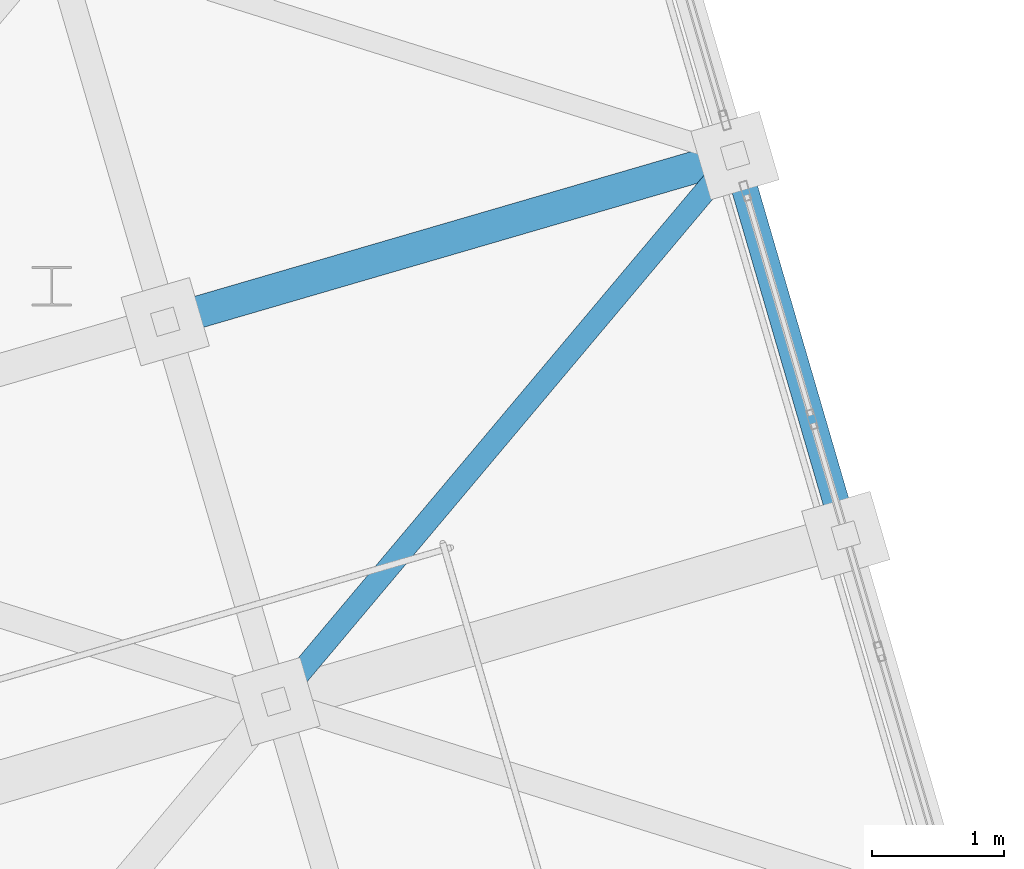
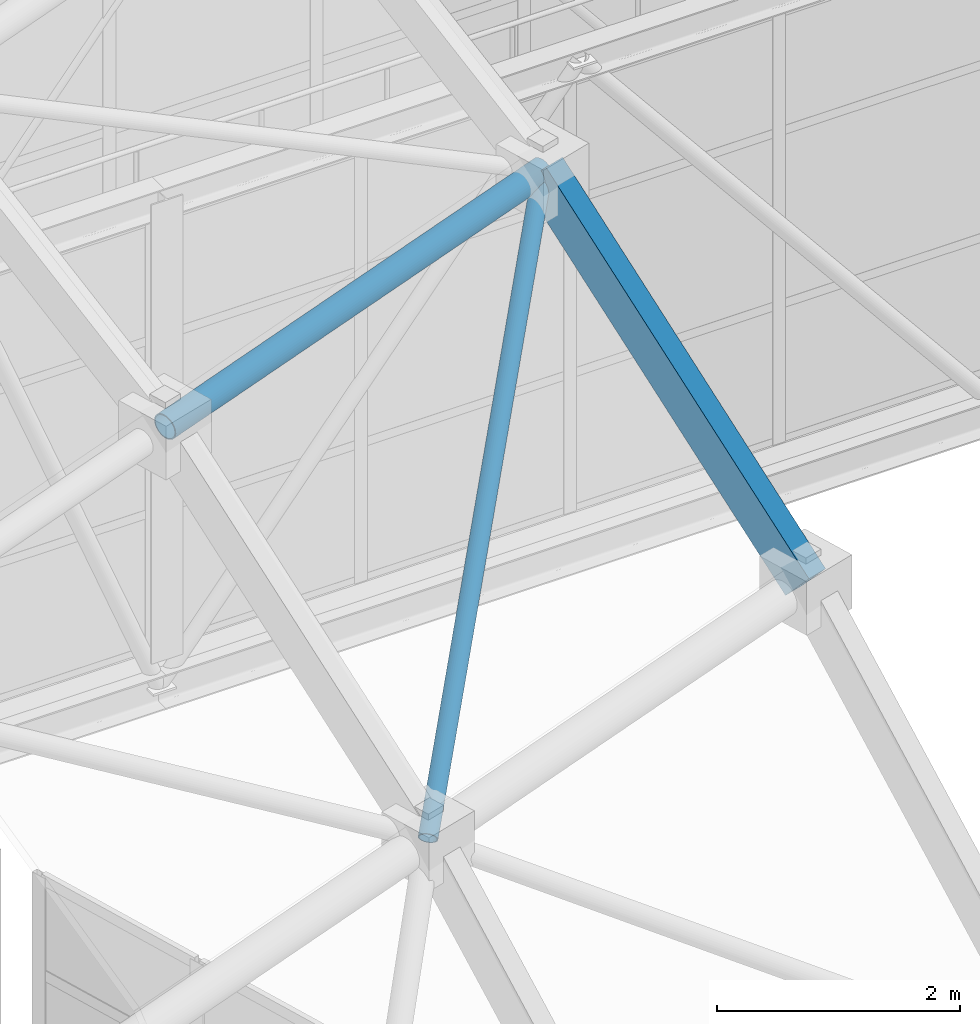
# One storey, part 75 of 248: 2 members, 1 beam.
"""IFC4 building model written with IfcOpenShell, lengths in metres."""

from ifc_helpers import new_model, si_unit, direction, frame, origin, origin_2d, place, context, subcontext, project, spatial, hollow_rectangle, hollow_circle, extrude, material, material_profile, profile_set, type_object, element, save


model = new_model("IFC4")

# Units and contexts
model_context = context("Model", 3, precision=1e-05, world=origin(), true_north=direction((0.0, 1.0)))
body_context = subcontext(model_context, "Body", "Model", "MODEL_VIEW")
ifc_project = project(units=[si_unit("LENGTHUNIT", "METRE"), si_unit("AREAUNIT", "SQUARE_METRE"), si_unit("VOLUMEUNIT", "CUBIC_METRE"), si_unit("PLANEANGLEUNIT", "RADIAN"), si_unit("MASSUNIT", "GRAM", prefix="KILO")], contexts=[model_context])

# Site, building, storey
site_placement = place(None, origin())
site = spatial("IfcSite", under=ifc_project, at=site_placement, CompositionType="ELEMENT")
building_placement = place(site_placement, origin())
building = spatial("IfcBuilding", under=site, at=building_placement, Name="Canggui Botanical Conservatory", CompositionType="ELEMENT")
storey_placement = place(building_placement, frame((0.0, 0.0, 5.39990234375)))
storey = spatial("IfcBuildingStorey", under=building, at=storey_placement, Name="L02", CompositionType="ELEMENT", Elevation=5.39990234375)

# Beam
ifc_material = material(Name="Steel Q355C", Category="steel")
ifc_material_profile_1 = material_profile(ifc_material, hollow_rectangle(XDim=0.199951171875, YDim=0.39990234375, WallThickness=0.011962890625, at=origin_2d()), Name="RHS 200x400x12")
ifc_profile_set_1 = profile_set([ifc_material_profile_1], Name="Steel Q355C")
beam_type = type_object("IfcBeamType", Name="BM-GJ04", PredefinedType="BEAM", material=ifc_profile_set_1)
beam_placement = place(storey_placement, frame((71.0, 60.0, 10.656005859375), z_axis=(-0.208562233276, 0.714966609628, 0.66732641336), x_axis=(-0.959989061447, -0.280037500885, 0.0)))
element("IfcBeam", 1, at=beam_placement, inside=storey, type_object=beam_type, Name="Conservatory Stepped-Arch Rib GJ-15 Segment 2", PredefinedType="BEAM", context=body_context, shape_type="SweptSolid", body=[
    extrude(hollow_rectangle(XDim=0.199951171875, YDim=0.39990234375, WallThickness=0.011962890625, at=origin_2d()), origin(), (0.0, 0.0, 1.0), 4.028076171875),
])

# Members
ifc_material_profile_2 = material_profile(ifc_material, hollow_circle(Radius=0.12255859375, WallThickness=0.010009765625, at=origin_2d()), Name="CHS 245x10")
ifc_profile_set_2 = profile_set([ifc_material_profile_2], Name="Steel Q355C")
member_type_1 = type_object("IfcMemberType", Name="MEM-GSC04", PredefinedType="CHORD", material=ifc_profile_set_2)
member_1_placement = place(storey_placement, frame((65.840087890625, 61.6201171875, 13.044189453125), z_axis=(0.957887202682, 0.279343165245, 0.066479342426), x_axis=(-0.279962497833, 0.960010937337, 0.0)))
element("IfcMember", 2, at=member_1_placement, inside=storey, type_object=member_type_1, Name="Conservatory Gridshell Longitudinal Chord 14-2", PredefinedType="CHORD", context=body_context, shape_type="SweptSolid", body=[
    extrude(hollow_circle(Radius=0.12255859375, WallThickness=0.010009765625, at=origin_2d()), origin(), (0.0, 0.0, 1.0), 4.509765625),
])
ifc_material_profile_3 = material_profile(ifc_material, hollow_circle(Radius=0.083984375, WallThickness=0.008056640625, at=origin_2d()), Name="CHS 168x8")
ifc_profile_set_3 = profile_set([ifc_material_profile_3], Name="Steel Q355C")
member_type_2 = type_object("IfcMemberType", Name="MEM-GSD03", PredefinedType="RAFTER", material=ifc_profile_set_3)
member_2_placement = place(storey_placement, frame((66.679931640625, 58.739990234375, 10.356201171875), z_axis=(0.563225448915, 0.670030443191, 0.483566230098), x_axis=(-0.765479825805, 0.643459894853, 0.0)))
element("IfcMember", 3, at=member_2_placement, inside=storey, type_object=member_type_2, Name="Conservatory Gridshell Diagrid Rafter 14-2", PredefinedType="RAFTER", context=body_context, shape_type="SweptSolid", body=[
    extrude(hollow_circle(Radius=0.083984375, WallThickness=0.008056640625, at=origin_2d()), origin(), (0.0, 0.0, 1.0), 6.1787109375),
])

save(model, "model.ifc")
